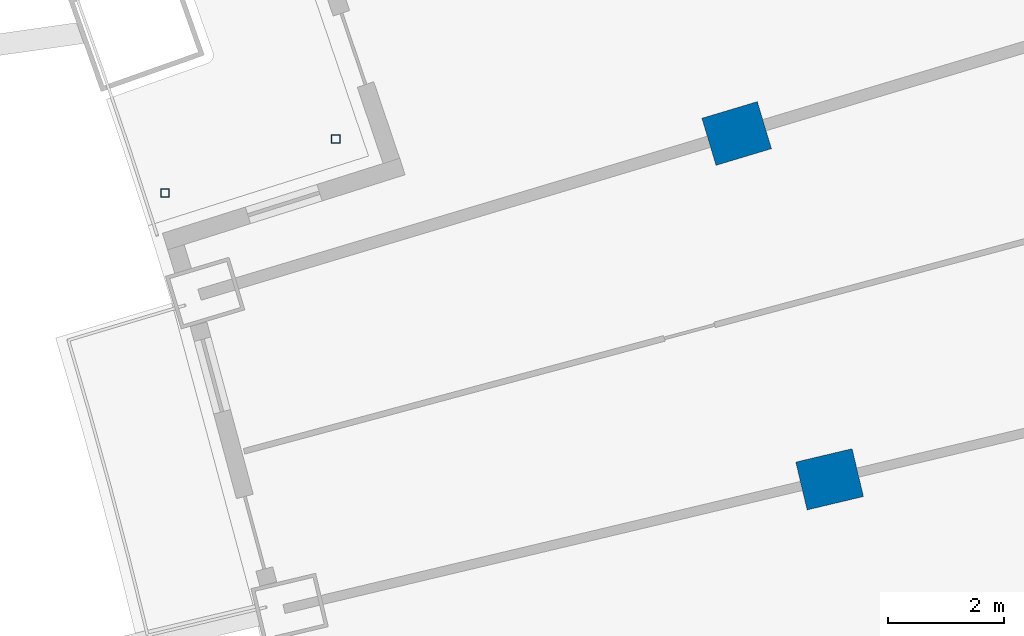
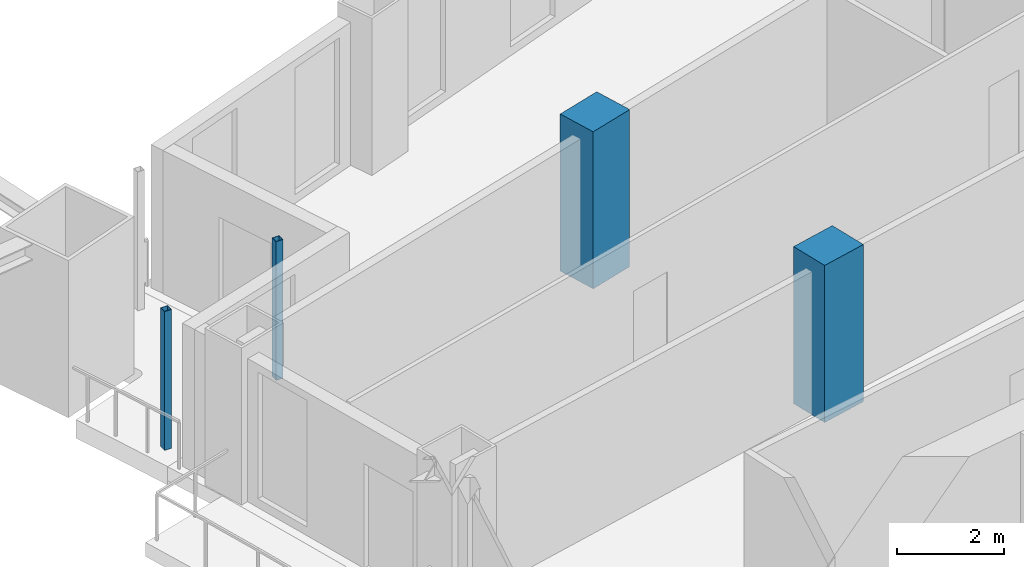
# One storey, part 7 of 25: 4 columns.
"""IFC4 building model written with IfcOpenShell, lengths in metres."""

from ifc_helpers import new_model, si_unit, direction, frame, origin, origin_2d, place, context, subcontext, project, spatial, rectangle, hollow_rectangle, extrude, material, material_profile, profile_set, type_object, element, save


model = new_model("IFC4")

# Units and contexts
model_context = context("Model", 3, precision=1e-05, world=origin(), true_north=direction((0.0, 1.0)))
body_context = subcontext(model_context, "Body", "Model", "MODEL_VIEW")
ifc_project = project(units=[si_unit("LENGTHUNIT", "METRE"), si_unit("AREAUNIT", "SQUARE_METRE"), si_unit("VOLUMEUNIT", "CUBIC_METRE"), si_unit("PLANEANGLEUNIT", "RADIAN"), si_unit("MASSUNIT", "GRAM", prefix="KILO")], contexts=[model_context])

# Site, building, storey
site_placement = place(None, origin())
site = spatial("IfcSite", under=ifc_project, at=site_placement, CompositionType="ELEMENT")
building_placement = place(site_placement, origin())
building = spatial("IfcBuilding", under=site, at=building_placement, Name="Alderwake Tower", CompositionType="ELEMENT")
storey_placement = place(building_placement, frame((0.0, 0.0, 122.0)))
storey = spatial("IfcBuildingStorey", under=building, at=storey_placement, Name="L30", CompositionType="ELEMENT", Elevation=122.0)

# Columns
ifc_material_1 = material(Name="Concrete C70/85", Category="concrete")
ifc_material_profile_1 = material_profile(ifc_material_1, rectangle(XDim=0.85009765625, YDim=1.0, at=origin_2d()), Name="RC 1000X850")
ifc_profile_set_1 = profile_set([ifc_material_profile_1], Name="Concrete C70/85")
column_type_1 = type_object("IfcColumnType", Name="Interior column Z2", PredefinedType="COLUMN", material=ifc_profile_set_1)
for number, where, z_axis, x_axis, name in (
    (1, (23.322021484375, 85.555908203125, 0.0), (0.0, 0.0, 1.0), (-0.231221547198, 0.972901123502, 0.0), "Column R11-C1"),
    (2, (21.714599609375, 91.53759765625, 0.0), (0.0, 0.0, 1.0), (-0.287549418125, 0.957765802342, 0.0), "Column R12-C1"),
):
    element("IfcColumn", number, at=place(storey_placement, frame(where, z_axis=z_axis, x_axis=x_axis)), inside=storey, type_object=column_type_1, Name=name, PredefinedType="COLUMN", context=body_context, shape_type="SweptSolid", body=[
        extrude(rectangle(XDim=0.85009765625, YDim=1.0, at=origin_2d()), origin(), (0.0, 0.0, 1.0), 3.60009765625),
    ])
ifc_material_2 = material(Name="Steel ASTM A500 Grade C", Category="steel")
ifc_material_profile_2 = material_profile(ifc_material_2, hollow_rectangle(XDim=0.15234375, YDim=0.15234375, WallThickness=0.0087890625, at=origin_2d()), Name="HSS6X6X3/8")
ifc_profile_set_2 = profile_set([ifc_material_profile_2], Name="Steel ASTM A500 Grade C")
column_type_2 = type_object("IfcColumnType", Name="Light post HSS6X6X3/8", PredefinedType="COLUMN", material=ifc_profile_set_2)
for number, where, z_axis, x_axis, name in (
    (3, (11.82568359375, 90.507080078125, 0.0), (0.0, 0.0, 1.0), (1.0, 0.0, 0.0), "Terrace post RN1"),
    (4, (14.781494140625, 91.441650390625, 0.0), (0.0, 0.0, 1.0), (1.0, 0.0, 0.0), "Terrace post RN3"),
):
    element("IfcColumn", number, at=place(storey_placement, frame(where, z_axis=z_axis, x_axis=x_axis)), inside=storey, type_object=column_type_2, Name=name, PredefinedType="COLUMN", context=body_context, shape_type="SweptSolid", body=[
        extrude(hollow_rectangle(XDim=0.15234375, YDim=0.15234375, WallThickness=0.0087890625, at=origin_2d()), origin(), (0.0, 0.0, 1.0), 3.179931640625),
    ])

save(model, "model.ifc")
